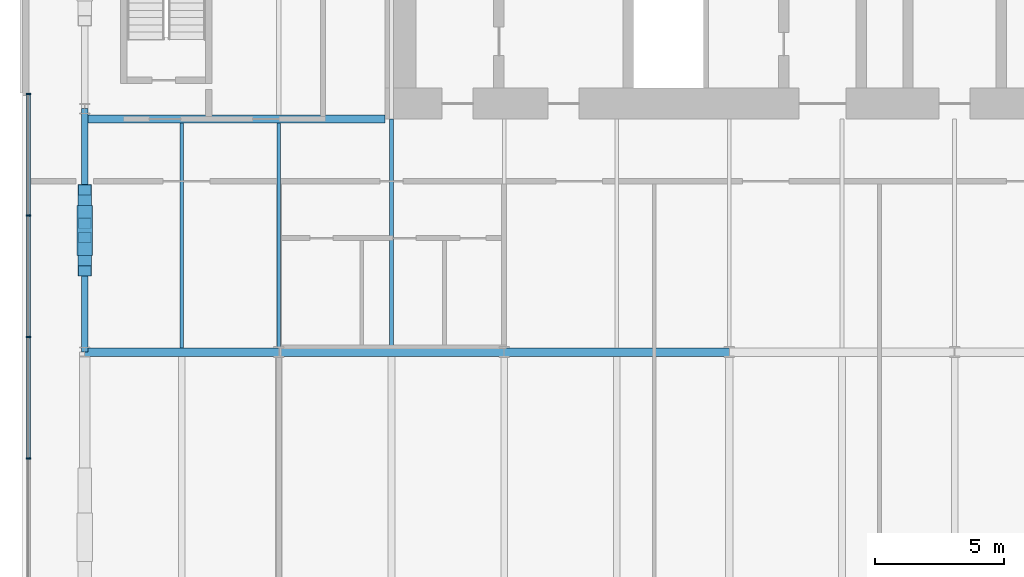
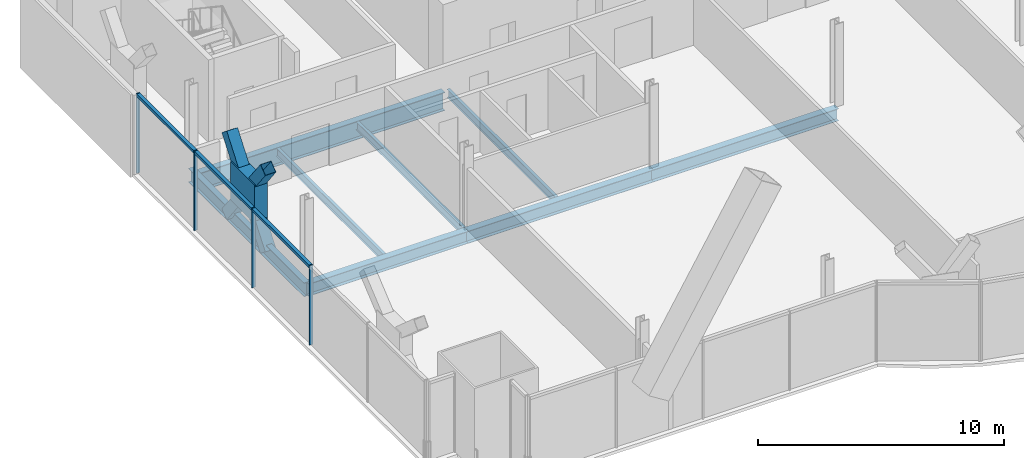
# One storey, part 6 of 22: 12 members, 8 beams, 1 element without a shape of its own.
"""IFC4 building model written with IfcOpenShell, lengths in metres."""

from ifc_helpers import new_model, si_unit, direction, frame, origin, origin_2d, place, context, subcontext, project, spatial, rectangle, hollow_rectangle, i_section, extrude, material, material_profile, profile_set, type_object, element, aggregate, save


model = new_model("IFC4")

# Units and contexts
model_context = context("Model", 3, precision=1e-05, world=origin(), true_north=direction((0.0, 1.0)))
body_context = subcontext(model_context, "Body", "Model", "MODEL_VIEW")
ifc_project = project(units=[si_unit("LENGTHUNIT", "METRE"), si_unit("AREAUNIT", "SQUARE_METRE"), si_unit("VOLUMEUNIT", "CUBIC_METRE"), si_unit("PLANEANGLEUNIT", "RADIAN"), si_unit("MASSUNIT", "GRAM", prefix="KILO")], contexts=[model_context])

# Site, building, storey
site_placement = place(None, origin())
site = spatial("IfcSite", under=ifc_project, at=site_placement, CompositionType="ELEMENT")
building_placement = place(site_placement, origin())
building = spatial("IfcBuilding", under=site, at=building_placement, Name="Bicima Exchange Tower", CompositionType="ELEMENT")
storey_placement = place(building_placement, frame((0.0, 0.0, 94.0)))
storey = spatial("IfcBuildingStorey", under=building, at=storey_placement, Name="L19", CompositionType="ELEMENT", Elevation=94.0)

# Member
ifc_material_1 = material(Name="Steel ASTM A572 Gr 50", Category="steel")
ifc_material_profile_1 = material_profile(ifc_material_1, rectangle(XDim=0.60791015625, YDim=1.9326171875, at=origin_2d()))
ifc_profile_set_1 = profile_set([ifc_material_profile_1], Name="Steel ASTM A572 Gr 50")
member_type_1 = type_object("IfcMemberType", Name="Brace crossing node 608 x 1933", PredefinedType="POST", material=ifc_profile_set_1)
member_1_placement = place(storey_placement, frame((-33.60009765625, -17.300048828125, 0.596923828125), z_axis=(0.0, 0.0, 1.0), x_axis=(1.0, 0.0, 0.0)))
element("IfcMember", 1, at=member_1_placement, inside=storey, type_object=member_type_1, Name="Brace crossing node block", PredefinedType="POST", context=body_context, shape_type="SweptSolid", body=[
    extrude(rectangle(XDim=0.60791015625, YDim=1.9326171875, at=origin_2d()), origin(), (0.0, 0.0, 1.0), 1.91259765625),
])

# Beam
ifc_material_2 = material(Name="Steel ASTM A992 Gr 50", Category="steel")
ifc_material_profile_2 = material_profile(ifc_material_2, i_section(OverallWidth=0.3046875, OverallDepth=0.911865234375, WebThickness=0.015869140625, FlangeThickness=0.02392578125, at=origin_2d()))
ifc_profile_set_2 = profile_set([ifc_material_profile_2], Name="Steel ASTM A992 Gr 50")
beam_type_1 = type_object("IfcBeamType", Name="Core-line girder W36x150", PredefinedType="BEAM", material=ifc_profile_set_2)
beam_1_placement = place(storey_placement, frame((-22.0, -13.0, -0.60595703125), z_axis=(-1.0, 0.0, 0.0), x_axis=(0.0, -1.0, 0.0)))
element("IfcBeam", 2, at=beam_1_placement, inside=storey, type_object=beam_type_1, Name="Core-line girder", PredefinedType="BEAM", context=body_context, shape_type="SweptSolid", body=[
    extrude(i_section(OverallWidth=0.3046875, OverallDepth=0.911865234375, WebThickness=0.015869140625, FlangeThickness=0.02392578125, at=origin_2d()), origin(), (0.0, 0.0, 1.0), 11.60009765625),
])

# Curtain wall, members
ifc_material_3 = material(Name="Anodised bronze aluminium", Category="aluminium")
curtain_wall_type = type_object("IfcCurtainWallType", Name="End face glass wall", PredefinedType="NOTDEFINED", material=ifc_material_3)
curtain_wall_placement = place(storey_placement, origin())
curtain_wall = element("IfcCurtainWall", 3, at=curtain_wall_placement, inside=storey, type_object=curtain_wall_type, Name="End face glass wall L19 run 2", PredefinedType="NOTDEFINED")
ifc_material_profile_3 = material_profile(ifc_material_3, rectangle(XDim=0.159912109375, YDim=0.06005859375, at=origin_2d()))
ifc_profile_set_3 = profile_set([ifc_material_profile_3], Name="Anodised bronze aluminium")
member_type_2 = type_object("IfcMemberType", Name="End face glass wall mullion 60 x 160", PredefinedType="MULLION", material=ifc_profile_set_3)
member_2_placement = place(storey_placement, frame((-35.77001953125, -12.030029296875, 0.0), z_axis=(0.0, 0.0, 1.0), x_axis=(1.0, 0.0, 0.0)))
member_2 = element("IfcMember", 4, at=member_2_placement, type_object=member_type_2, Name="End face glass wall mullion 1", PredefinedType="MULLION", context=body_context, shape_type="SweptSolid", body=[
    extrude(rectangle(XDim=0.159912109375, YDim=0.06005859375, at=origin_2d()), origin(), (0.0, 0.0, 1.0), 3.949951171875),
])
member_3_placement = place(storey_placement, frame((-35.77001953125, -16.7216796875, 0.0), z_axis=(0.0, 0.0, 1.0), x_axis=(1.0, 0.0, 0.0)))
member_3 = element("IfcMember", 5, at=member_3_placement, type_object=member_type_2, Name="End face glass wall mullion 2", PredefinedType="MULLION", context=body_context, shape_type="SweptSolid", body=[
    extrude(rectangle(XDim=0.159912109375, YDim=0.06005859375, at=origin_2d()), origin(), (0.0, 0.0, 1.0), 3.949951171875),
])
member_4_placement = place(storey_placement, frame((-35.77001953125, -21.4130859375, 0.0), z_axis=(0.0, 0.0, 1.0), x_axis=(1.0, 0.0, 0.0)))
member_4 = element("IfcMember", 6, at=member_4_placement, type_object=member_type_2, Name="End face glass wall mullion 3", PredefinedType="MULLION", context=body_context, shape_type="SweptSolid", body=[
    extrude(rectangle(XDim=0.159912109375, YDim=0.06005859375, at=origin_2d()), origin(), (0.0, 0.0, 1.0), 3.949951171875),
])
member_5_placement = place(storey_placement, frame((-35.77001953125, -26.104736328125, 0.0), z_axis=(0.0, 0.0, 1.0), x_axis=(1.0, 0.0, 0.0)))
member_5 = element("IfcMember", 7, at=member_5_placement, type_object=member_type_2, Name="End face glass wall mullion 4", PredefinedType="MULLION", context=body_context, shape_type="SweptSolid", body=[
    extrude(rectangle(XDim=0.159912109375, YDim=0.06005859375, at=origin_2d()), origin(), (0.0, 0.0, 1.0), 3.949951171875),
])
ifc_material_profile_4 = material_profile(ifc_material_3, rectangle(XDim=0.159912109375, YDim=0.139892578125, at=origin_2d()))
ifc_profile_set_4 = profile_set([ifc_material_profile_4], Name="Anodised bronze aluminium")
member_type_3 = type_object("IfcMemberType", Name="End face glass wall transom 140 x 160", PredefinedType="USERDEFINED", material=ifc_profile_set_4)
member_6_placement = place(storey_placement, frame((-35.77001953125, -12.06005859375, 3.8798828125), z_axis=(0.0, -1.0, 0.0), x_axis=(1.0, 0.0, 0.0)))
member_6 = element("IfcMember", 8, at=member_6_placement, type_object=member_type_3, Name="End face glass wall transom 1.1", ObjectType="TRANSOM", PredefinedType="USERDEFINED", context=body_context, shape_type="SweptSolid", body=[
    extrude(rectangle(XDim=0.159912109375, YDim=0.139892578125, at=origin_2d()), origin(), (0.0, 0.0, 1.0), 4.631591796875),
])
member_7_placement = place(storey_placement, frame((-35.77001953125, -16.751708984375, 3.8798828125), z_axis=(0.0, -1.0, 0.0), x_axis=(1.0, 0.0, 0.0)))
member_7 = element("IfcMember", 9, at=member_7_placement, type_object=member_type_3, Name="End face glass wall transom 2.1", ObjectType="TRANSOM", PredefinedType="USERDEFINED", context=body_context, shape_type="SweptSolid", body=[
    extrude(rectangle(XDim=0.159912109375, YDim=0.139892578125, at=origin_2d()), origin(), (0.0, 0.0, 1.0), 4.631591796875),
])
member_8_placement = place(storey_placement, frame((-35.77001953125, -21.443115234375, 3.8798828125), z_axis=(0.0, -1.0, 0.0), x_axis=(1.0, 0.0, 0.0)))
member_8 = element("IfcMember", 10, at=member_8_placement, type_object=member_type_3, Name="End face glass wall transom 3.1", ObjectType="TRANSOM", PredefinedType="USERDEFINED", context=body_context, shape_type="SweptSolid", body=[
    extrude(rectangle(XDim=0.159912109375, YDim=0.139892578125, at=origin_2d()), origin(), (0.0, 0.0, 1.0), 4.631591796875),
])
aggregate(curtain_wall, [member_2, member_3, member_4, member_5, member_6, member_7, member_8])

# Beams
ifc_material_profile_5 = material_profile(ifc_material_2, i_section(OverallWidth=0.256591796875, OverallDepth=0.693359375, WebThickness=0.014404296875, FlangeThickness=0.023681640625, at=origin_2d()))
ifc_profile_set_5 = profile_set([ifc_material_profile_5], Name="Steel ASTM A992 Gr 50")
beam_type_2 = type_object("IfcBeamType", Name="End girder W27x114", PredefinedType="BEAM", material=ifc_profile_set_5)
beam_2_placement = place(storey_placement, frame((-33.60009765625, -12.60009765625, -0.49658203125), z_axis=(0.0, -1.0, 0.0), x_axis=(1.0, 0.0, 0.0)))
element("IfcBeam", 11, at=beam_2_placement, inside=storey, type_object=beam_type_2, Name="End girder", PredefinedType="BEAM", context=body_context, shape_type="SweptSolid", body=[
    extrude(i_section(OverallWidth=0.256591796875, OverallDepth=0.693359375, WebThickness=0.014404296875, FlangeThickness=0.023681640625, at=origin_2d()), origin(), (0.0, 0.0, 1.0), 9.39990234375),
])
ifc_material_profile_6 = material_profile(ifc_material_2, i_section(OverallWidth=0.140380859375, OverallDepth=0.40380859375, WebThickness=0.007080078125, FlangeThickness=0.01123046875, at=origin_2d()))
ifc_profile_set_6 = profile_set([ifc_material_profile_6], Name="Steel ASTM A992 Gr 50")
beam_type_3 = type_object("IfcBeamType", Name="Floor beam W16x31", PredefinedType="JOIST", material=ifc_profile_set_6)
for number, where, z_axis, x_axis, name in (
    (12, (-29.85009765625, -13.15234375, -0.351806640625), (0.0, -1.0, 0.0), (1.0, 0.0, 0.0), "Floor beam"),
    (13, (-26.10009765625, -13.15234375, -0.351806640625), (0.0, -1.0, 0.0), (1.0, 0.0, 0.0), "Floor beam"),
):
    element("IfcBeam", number, at=place(storey_placement, frame(where, z_axis=z_axis, x_axis=x_axis)), inside=storey, type_object=beam_type_3, Name=name, PredefinedType="JOIST", context=body_context, shape_type="SweptSolid", body=[
        extrude(i_section(OverallWidth=0.140380859375, OverallDepth=0.40380859375, WebThickness=0.007080078125, FlangeThickness=0.01123046875, at=origin_2d()), origin(), (0.0, 0.0, 1.0), 8.68505859375),
    ])
beam_3_placement = place(storey_placement, frame((-21.75, -13.0, -0.351806640625), z_axis=(0.0, -1.0, 0.0), x_axis=(1.0, 0.0, 0.0)))
element("IfcBeam", 14, at=beam_3_placement, inside=storey, type_object=beam_type_3, Name="Floor beam", PredefinedType="JOIST", context=body_context, shape_type="SweptSolid", body=[
    extrude(i_section(OverallWidth=0.140380859375, OverallDepth=0.40380859375, WebThickness=0.007080078125, FlangeThickness=0.01123046875, at=origin_2d()), origin(), (0.0, 0.0, 1.0), 8.83740234375),
])

# Members
ifc_material_profile_7 = material_profile(ifc_material_1, hollow_rectangle(XDim=0.508056640625, YDim=0.508056640625, WallThickness=0.0146484375, at=origin_2d()))
ifc_profile_set_7 = profile_set([ifc_material_profile_7], Name="Steel ASTM A572 Gr 50")
member_type_4 = type_object("IfcMemberType", Name="Mega brace HSS20x20x5/8", PredefinedType="BRACE", material=ifc_profile_set_7)
member_9_placement = place(storey_placement, frame((-33.60009765625, -15.7333984375, -0.49658203125), z_axis=(0.0, -0.607250281997, 0.794510600945), x_axis=(1.0, 0.0, 0.0)))
element("IfcMember", 15, at=member_9_placement, inside=storey, type_object=member_type_4, Name="Mega brace west end", PredefinedType="BRACE", context=body_context, shape_type="SweptSolid", body=[
    extrude(hollow_rectangle(XDim=0.508056640625, YDim=0.508056640625, WallThickness=0.0146484375, at=origin_2d()), origin(), (0.0, 0.0, 1.0), 2.131591796875),
])
member_10_placement = place(storey_placement, frame((-33.60009765625, -17.572265625, 1.909423828125), z_axis=(0.0, -0.607195027523, 0.794552829301), x_axis=(1.0, 0.0, 0.0)))
element("IfcMember", 16, at=member_10_placement, inside=storey, type_object=member_type_4, Name="Mega brace west end", PredefinedType="BRACE", context=body_context, shape_type="SweptSolid", body=[
    extrude(hollow_rectangle(XDim=0.508056640625, YDim=0.508056640625, WallThickness=0.0146484375, at=origin_2d()), origin(), (0.0, 0.0, 1.0), 2.1318359375),
])
member_11_placement = place(storey_placement, frame((-33.60009765625, -18.86669921875, -0.49658203125), z_axis=(0.0, 0.607250281997, 0.794510600945), x_axis=(-1.0, 0.0, 0.0)))
element("IfcMember", 17, at=member_11_placement, inside=storey, type_object=member_type_4, Name="Mega brace west end", PredefinedType="BRACE", context=body_context, shape_type="SweptSolid", body=[
    extrude(hollow_rectangle(XDim=0.508056640625, YDim=0.508056640625, WallThickness=0.0146484375, at=origin_2d()), origin(), (0.0, 0.0, 1.0), 2.131591796875),
])
member_12_placement = place(storey_placement, frame((-33.60009765625, -17.02783203125, 1.909423828125), z_axis=(0.0, 0.607195027523, 0.794552829301), x_axis=(-1.0, 0.0, 0.0)))
element("IfcMember", 18, at=member_12_placement, inside=storey, type_object=member_type_4, Name="Mega brace west end", PredefinedType="BRACE", context=body_context, shape_type="SweptSolid", body=[
    extrude(hollow_rectangle(XDim=0.508056640625, YDim=0.508056640625, WallThickness=0.0146484375, at=origin_2d()), origin(), (0.0, 0.0, 1.0), 2.1318359375),
])

# Beams
ifc_material_profile_8 = material_profile(ifc_material_2, i_section(OverallWidth=0.3251953125, OverallDepth=0.612060546875, WebThickness=0.0126953125, FlangeThickness=0.01904296875, at=origin_2d()))
ifc_profile_set_8 = profile_set([ifc_material_profile_8], Name="Steel ASTM A992 Gr 50")
beam_type_4 = type_object("IfcBeamType", Name="Row girder W24x104", PredefinedType="BEAM", material=ifc_profile_set_8)
beam_4_placement = place(storey_placement, frame((-33.60009765625, -22.0, -0.4560546875), z_axis=(1.0, 0.0, 0.0), x_axis=(0.0, 1.0, 0.0)))
element("IfcBeam", 19, at=beam_4_placement, inside=storey, type_object=beam_type_4, Name="Row girder", PredefinedType="BEAM", context=body_context, shape_type="SweptSolid", body=[
    extrude(i_section(OverallWidth=0.3251953125, OverallDepth=0.612060546875, WebThickness=0.0126953125, FlangeThickness=0.01904296875, at=origin_2d()), origin(), (0.0, 0.0, 1.0), 7.5),
])
beam_5_placement = place(storey_placement, frame((-26.10009765625, -22.0, -0.4560546875), z_axis=(1.0, 0.0, 0.0), x_axis=(0.0, 1.0, 0.0)))
element("IfcBeam", 20, at=beam_5_placement, inside=storey, type_object=beam_type_4, Name="Row girder", PredefinedType="BEAM", context=body_context, shape_type="SweptSolid", body=[
    extrude(i_section(OverallWidth=0.3251953125, OverallDepth=0.612060546875, WebThickness=0.0126953125, FlangeThickness=0.01904296875, at=origin_2d()), origin(), (0.0, 0.0, 1.0), 8.7001953125),
])
beam_6_placement = place(storey_placement, frame((-17.39990234375, -22.0, -0.4560546875), z_axis=(1.0, 0.0, 0.0), x_axis=(0.0, 1.0, 0.0)))
element("IfcBeam", 21, at=beam_6_placement, inside=storey, type_object=beam_type_4, Name="Row girder", PredefinedType="BEAM", context=body_context, shape_type="SweptSolid", body=[
    extrude(i_section(OverallWidth=0.3251953125, OverallDepth=0.612060546875, WebThickness=0.0126953125, FlangeThickness=0.01904296875, at=origin_2d()), origin(), (0.0, 0.0, 1.0), 8.699951171875),
])

save(model, "model.ifc")
